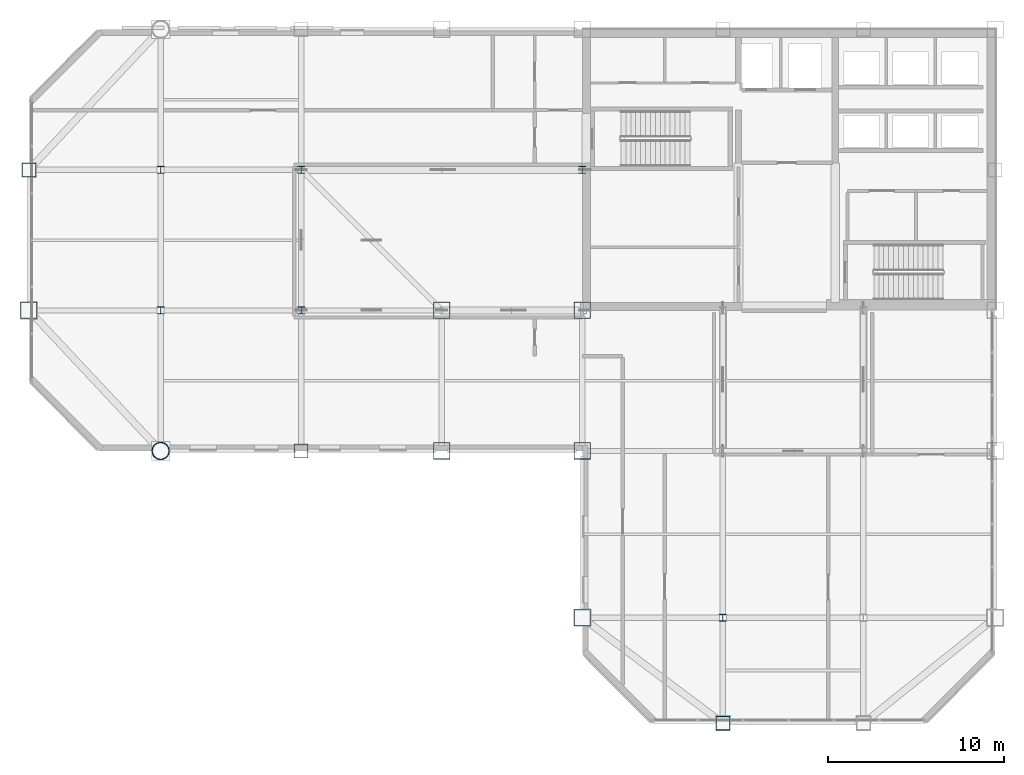
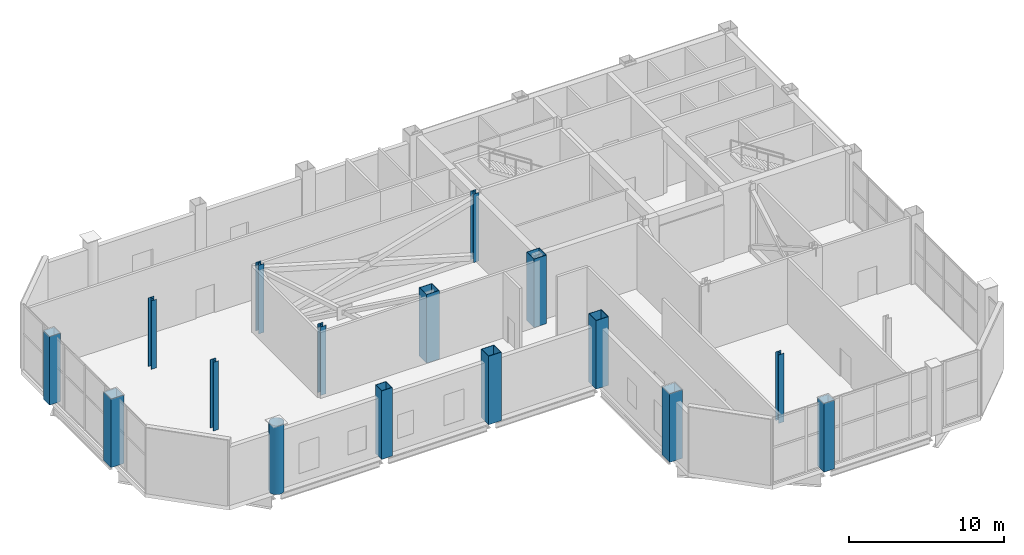
# One storey, part 1 of 23: 16 columns.
"""IFC4 building model written with IfcOpenShell, lengths in metres."""

from ifc_helpers import new_model, si_unit, direction, frame, origin, origin_2d, place, context, subcontext, project, spatial, hollow_rectangle, hollow_circle, i_section, extrude, material, material_profile, profile_set, type_object, element, save


model = new_model("IFC4")

# Units and contexts
model_context = context("Model", 3, precision=1e-05, world=origin(), true_north=direction((0.0, 1.0)))
body_context = subcontext(model_context, "Body", "Model", "MODEL_VIEW")
ifc_project = project(units=[si_unit("LENGTHUNIT", "METRE"), si_unit("AREAUNIT", "SQUARE_METRE"), si_unit("VOLUMEUNIT", "CUBIC_METRE"), si_unit("PLANEANGLEUNIT", "RADIAN"), si_unit("MASSUNIT", "GRAM", prefix="KILO")], contexts=[model_context])

# Site, building, storey
site_placement = place(None, origin())
site = spatial("IfcSite", under=ifc_project, at=site_placement, CompositionType="ELEMENT")
building_placement = place(site_placement, origin())
building = spatial("IfcBuilding", under=site, at=building_placement, Name="Qianrong Seaharbour Tower", CompositionType="ELEMENT")
storey_placement = place(building_placement, frame((0.0, 0.0, 281.800048828125)))
storey = spatial("IfcBuildingStorey", under=building, at=storey_placement, Name="L68", CompositionType="ELEMENT", Elevation=281.800048828125)

# Columns
ifc_material = material(Name="Structural steel SN490B", Category="steel")
ifc_material_profile_1 = material_profile(ifc_material, hollow_rectangle(XDim=0.949951171875, YDim=0.949951171875, WallThickness=0.035888671875, at=origin_2d()), Name="BOX950x950x36")
ifc_profile_set_1 = profile_set([ifc_material_profile_1], Name="Structural steel SN490B")
column_type_1 = type_object("IfcColumnType", Name="COL-CFT-950", PredefinedType="COLUMN", material=ifc_profile_set_1)
for number, where, z_axis, x_axis, name in (
    (1, (9.0, 36.0, 0.0), (0.0, 0.0, 1.0), (1.0, 0.0, 0.0), "L68 Column MC-4 at G2/GF"),
    (2, (32.5, 28.0, 0.0), (0.0, 0.0, 1.0), (1.0, 0.0, 0.0), "L68 Column MC-4 at G5/GE"),
    (3, (32.5, 36.0, 0.0), (0.0, 0.0, 1.0), (1.0, 0.0, 0.0), "L68 Column MC-4 at G5/GF"),
    (4, (40.5, 18.5, 0.0), (0.0, 0.0, 1.0), (1.0, 0.0, 0.0), "L68 Column MC-4 at G6/GD"),
    (5, (40.5, 28.0, 0.0), (0.0, 0.0, 1.0), (1.0, 0.0, 0.0), "L68 Column MC-4 at G6/GE"),
    (6, (40.5, 36.0, 0.0), (0.0, 0.0, 1.0), (1.0, 0.0, 0.0), "L68 Column MC-4 at G6/GF"),
):
    element("IfcColumn", number, at=place(storey_placement, frame(where, z_axis=z_axis, x_axis=x_axis)), inside=storey, type_object=column_type_1, Name=name, PredefinedType="COLUMN", context=body_context, shape_type="SweptSolid", body=[
        extrude(hollow_rectangle(XDim=0.949951171875, YDim=0.949951171875, WallThickness=0.035888671875, at=origin_2d()), origin(), (0.0, 0.0, 1.0), 5.39990234375),
    ])
ifc_material_profile_2 = material_profile(ifc_material, hollow_circle(Radius=0.5, WallThickness=0.035888671875, at=origin_2d()), Name="CHS1000x36")
ifc_profile_set_2 = profile_set([ifc_material_profile_2], Name="Structural steel SN490B")
column_type_2 = type_object("IfcColumnType", Name="COL-CHS-1000", PredefinedType="COLUMN", material=ifc_profile_set_2)
column_placement = place(storey_placement, frame((16.5, 28.0, 0.0), z_axis=(0.0, 0.0, 1.0), x_axis=(1.0, 0.0, 0.0)))
element("IfcColumn", 7, at=column_placement, inside=storey, type_object=column_type_2, Name="L68 Column CC-2 at G3/GE", PredefinedType="COLUMN", context=body_context, shape_type="SweptSolid", body=[
    extrude(hollow_circle(Radius=0.5, WallThickness=0.035888671875, at=origin_2d()), origin(), (0.0, 0.0, 1.0), 5.39990234375),
])
ifc_material_profile_3 = material_profile(ifc_material, i_section(OverallWidth=0.39990234375, OverallDepth=0.39990234375, WebThickness=0.012939453125, FlangeThickness=0.02099609375, FilletRadius=0.02197265625, at=origin_2d()), Name="H400x400x13x21")
ifc_profile_set_3 = profile_set([ifc_material_profile_3], Name="Structural steel SN490B")
column_type_3 = type_object("IfcColumnType", Name="COL-INT-H400", PredefinedType="COLUMN", material=ifc_profile_set_3)
for number, where, z_axis, x_axis, name in (
    (8, (16.5, 36.0, 0.0), (0.0, 0.0, 1.0), (1.0, 0.0, 0.0), "L68 Column IC-3 at G3/GF"),
    (9, (16.5, 44.0, 0.0), (0.0, 0.0, 1.0), (1.0, 0.0, 0.0), "L68 Column IC-3 at G3/GG"),
    (10, (24.5, 36.0, 0.0), (0.0, 0.0, 1.0), (1.0, 0.0, 0.0), "L68 Column IC-3 at G4/GF"),
    (11, (24.5, 44.0, 0.0), (0.0, 0.0, 1.0), (1.0, 0.0, 0.0), "L68 Column IC-3 at G4/GG"),
    (12, (40.5, 44.0, 0.0), (0.0, 0.0, 1.0), (1.0, 0.0, 0.0), "L68 Column IC-3 at G6/GG"),
    (13, (48.5, 18.5, 0.0), (0.0, 0.0, 1.0), (1.0, 0.0, 0.0), "L68 Column IC-3 at G7/GD"),
):
    element("IfcColumn", number, at=place(storey_placement, frame(where, z_axis=z_axis, x_axis=x_axis)), inside=storey, type_object=column_type_3, Name=name, PredefinedType="COLUMN", context=body_context, shape_type="SweptSolid", body=[
        extrude(i_section(OverallWidth=0.39990234375, OverallDepth=0.39990234375, WebThickness=0.012939453125, FlangeThickness=0.02099609375, FilletRadius=0.02197265625, at=origin_2d()), origin(), (0.0, 0.0, 1.0), 5.39990234375),
    ])
ifc_material_profile_4 = material_profile(ifc_material, hollow_rectangle(XDim=0.800048828125, YDim=0.800048828125, WallThickness=0.031982421875, at=origin_2d()), Name="BOX800x800x32")
ifc_profile_set_4 = profile_set([ifc_material_profile_4], Name="Structural steel SN490B")
column_type_4 = type_object("IfcColumnType", Name="COL-PER-800", PredefinedType="COLUMN", material=ifc_profile_set_4)
for number, where, z_axis, x_axis, name in (
    (14, (9.0, 44.0, 0.0), (0.0, 0.0, 1.0), (1.0, 0.0, 0.0), "L68 Column PC-3 at G2/GG"),
    (15, (24.5, 28.0, 0.0), (0.0, 0.0, 1.0), (1.0, 0.0, 0.0), "L68 Column PC-3 at G4/GE"),
    (16, (48.5, 12.5, 0.0), (0.0, 0.0, 1.0), (1.0, 0.0, 0.0), "L68 Column PC-3 at G7/GC"),
):
    element("IfcColumn", number, at=place(storey_placement, frame(where, z_axis=z_axis, x_axis=x_axis)), inside=storey, type_object=column_type_4, Name=name, PredefinedType="COLUMN", context=body_context, shape_type="SweptSolid", body=[
        extrude(hollow_rectangle(XDim=0.800048828125, YDim=0.800048828125, WallThickness=0.031982421875, at=origin_2d()), origin(), (0.0, 0.0, 1.0), 5.39990234375),
    ])

save(model, "model.ifc")
